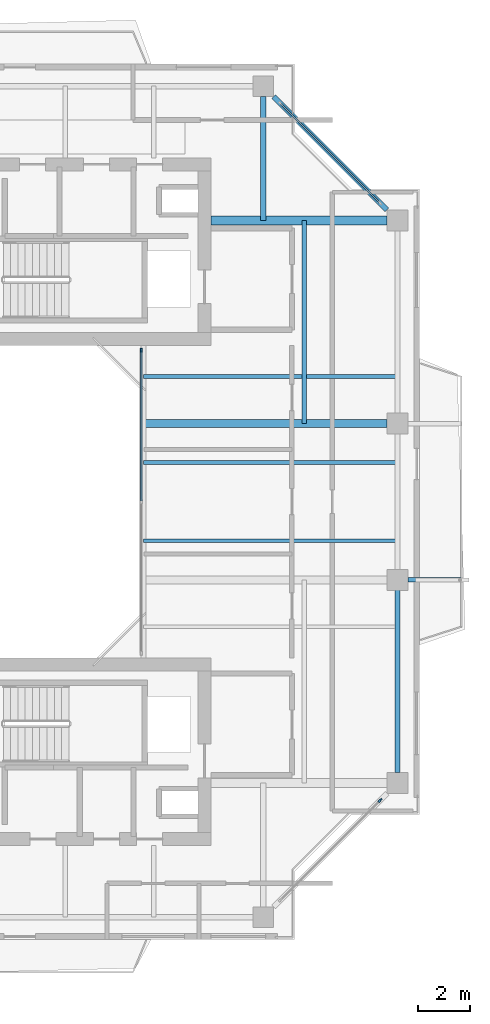
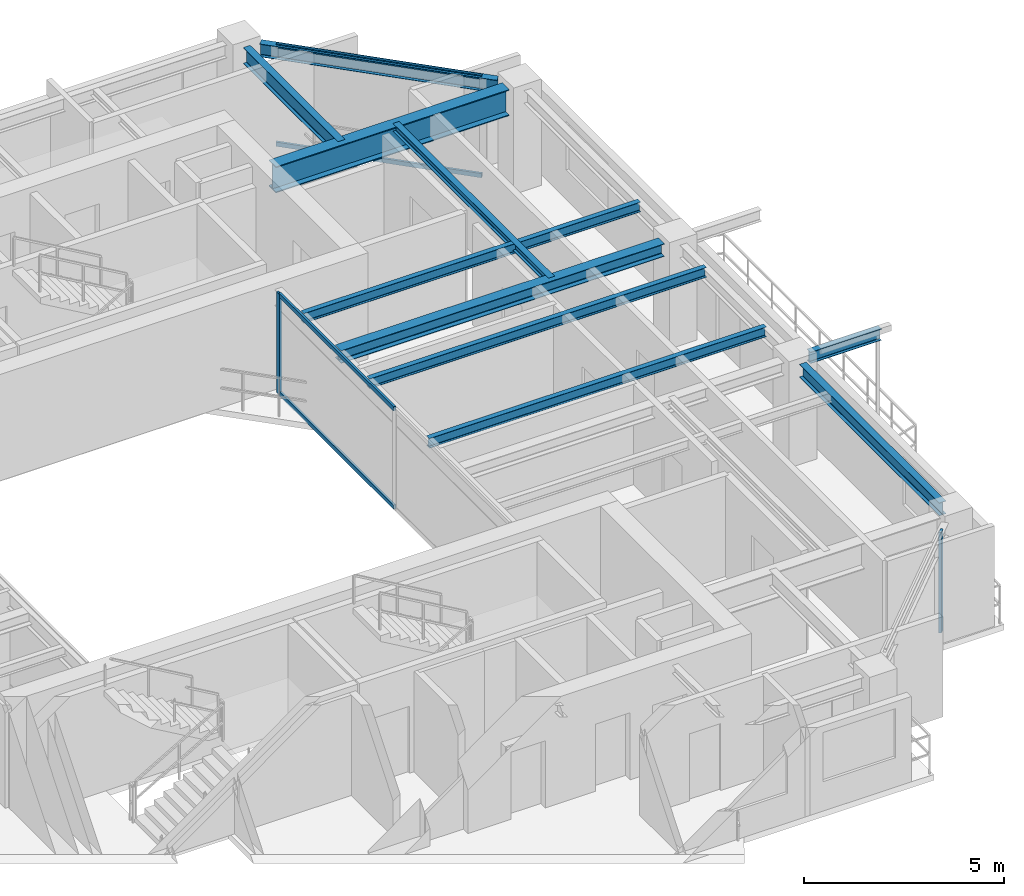
# One storey, part 6 of 15: 10 beams, 6 members, 3 elements without a shape of their own.
"""IFC4 building model written with IfcOpenShell, lengths in metres."""

from ifc_helpers import new_model, si_unit, direction, frame, origin, origin_2d, place, context, subcontext, project, spatial, rectangle, i_section, extrude, source, transform, mapped, material, layer, layer_set, material_profile, profile_set, type_object, element, aggregate, save


model = new_model("IFC4")

# Units and contexts
model_context = context("Model", 3, precision=1e-05, world=origin(), true_north=direction((0.0, 1.0)))
body_context = subcontext(model_context, "Body", "Model", "MODEL_VIEW")
ifc_project = project(units=[si_unit("LENGTHUNIT", "METRE"), si_unit("AREAUNIT", "SQUARE_METRE"), si_unit("VOLUMEUNIT", "CUBIC_METRE"), si_unit("PLANEANGLEUNIT", "RADIAN"), si_unit("MASSUNIT", "GRAM", prefix="KILO"), si_unit("THERMODYNAMICTEMPERATUREUNIT", "KELVIN"), si_unit("POWERUNIT", "WATT")], contexts=[model_context])

# Site, building, storey
site_placement = place(None, origin())
site = spatial("IfcSite", under=ifc_project, at=site_placement, CompositionType="ELEMENT")
building_placement = place(site_placement, origin())
building = spatial("IfcBuilding", under=site, at=building_placement, Name="Qiaomeng Ring Towers", CompositionType="ELEMENT")
storey_placement = place(building_placement, frame((0.0, 0.0, 219.75)))
storey = spatial("IfcBuildingStorey", under=building, at=storey_placement, Name="L64", CompositionType="ELEMENT", Elevation=219.75)

# Beams
ifc_material_1 = material(Name="Steel Q355B", Category="steel")
ifc_material_profile_1 = material_profile(ifc_material_1, i_section(OverallWidth=0.198974609375, OverallDepth=0.39599609375, WebThickness=0.007080078125, FlangeThickness=0.010986328125, FilletRadius=0.01611328125, at=origin_2d()), Name="HN 396x199x7x11")
ifc_profile_set_1 = profile_set([ifc_material_profile_1], Name="Steel Q355B")
beam_type_1 = type_object("IfcBeamType", Name="STR-BM-HN396", PredefinedType="SPANDREL", material=ifc_profile_set_1)
shared_shape_1 = source(origin(), body_context, "Body", "SweptSolid", [
    extrude(i_section(OverallWidth=0.198974609375, OverallDepth=0.39599609375, WebThickness=0.007080078125, FlangeThickness=0.010986328125, FilletRadius=0.01611328125, at=origin_2d()), origin(), (0.0, 0.0, 1.0), 6.154052734375),
])
beam_1_placement = place(storey_placement, frame((34.55078125, 34.19921875, 2.8720703125), z_axis=(-0.707106781187, 0.707106781187, 0.0), x_axis=(-0.707106781187, -0.707106781187, 0.0)))
element("IfcBeam", 1, at=beam_1_placement, inside=storey, type_object=beam_type_1, Name="L64 beam STR-SP-L64-T1-E4-N2", PredefinedType="SPANDREL", context=body_context, shape_type="MappedRepresentation", body=[
    mapped(shared_shape_1, transform((0.0, 0.0, 0.0), x_axis=(1.0, 0.0, 0.0), y_axis=(0.0, 1.0, 0.0), z_axis=(0.0, 0.0, 1.0), scale=1.0)),
])
shared_shape_2 = source(origin(), body_context, "Body", "SweptSolid", [
    extrude(i_section(OverallWidth=0.198974609375, OverallDepth=0.39599609375, WebThickness=0.007080078125, FlangeThickness=0.010986328125, FilletRadius=0.01611328125, at=origin_2d()), origin(), (0.0, 0.0, 1.0), 7.001953125),
])
beam_2_placement = place(storey_placement, frame((34.949951171875, 12.59912109375, 2.8720703125), z_axis=(0.0, 1.0, 0.0), x_axis=(-1.0, 0.0, 0.0)))
element("IfcBeam", 2, at=beam_2_placement, inside=storey, type_object=beam_type_1, Name="L64 beam STR-SP-L64-T1-E1-E2", PredefinedType="SPANDREL", context=body_context, shape_type="MappedRepresentation", body=[
    mapped(shared_shape_2, transform((0.0, 0.0, 0.0), x_axis=(1.0, 0.0, 0.0), y_axis=(0.0, 1.0, 0.0), z_axis=(0.0, 0.0, 1.0), scale=1.0)),
])
ifc_material_2 = material(Name="Steel Q390GJC", Category="steel")
ifc_material_profile_2 = material_profile(ifc_material_2, i_section(OverallWidth=0.35009765625, OverallDepth=0.800048828125, WebThickness=0.01611328125, FlangeThickness=0.028076171875, at=origin_2d()), Name="WH 800x350x16x28")
ifc_profile_set_2 = profile_set([ifc_material_profile_2], Name="Steel Q390GJC")
beam_type_2 = type_object("IfcBeamType", Name="STR-BM-WH800", PredefinedType="BEAM", material=ifc_profile_set_2)
shared_shape_3 = source(origin(), body_context, "Body", "SweptSolid", [
    extrude(i_section(OverallWidth=0.35009765625, OverallDepth=0.800048828125, WebThickness=0.01611328125, FlangeThickness=0.028076171875, at=origin_2d()), origin(), (0.0, 0.0, 1.0), 6.7509765625),
])
beam_3_placement = place(storey_placement, frame((27.800048828125, 33.800048828125, 2.669921875), z_axis=(1.0, 0.0, 0.0), x_axis=(0.0, 1.0, 0.0)))
element("IfcBeam", 3, at=beam_3_placement, inside=storey, type_object=beam_type_2, Name="L64 beam STR-BM-L64-T1-RAD-E4", PredefinedType="BEAM", context=body_context, shape_type="MappedRepresentation", body=[
    mapped(shared_shape_3, transform((0.0, 0.0, 0.0), x_axis=(1.0, 0.0, 0.0), y_axis=(0.0, 1.0, 0.0), z_axis=(0.0, 0.0, 1.0), scale=1.0)),
])
ifc_material_profile_3 = material_profile(ifc_material_1, i_section(OverallWidth=0.300048828125, OverallDepth=0.389892578125, WebThickness=0.010009765625, FlangeThickness=0.01611328125, FilletRadius=0.02197265625, at=origin_2d()), Name="HM 390x300x10x16")
ifc_profile_set_3 = profile_set([ifc_material_profile_3], Name="Steel Q355B")
beam_type_3 = type_object("IfcBeamType", Name="STR-BM-HM390", PredefinedType="BEAM", material=ifc_profile_set_3)
shared_shape_4 = source(origin(), body_context, "Body", "SweptSolid", [
    extrude(i_section(OverallWidth=0.300048828125, OverallDepth=0.389892578125, WebThickness=0.010009765625, FlangeThickness=0.01611328125, FilletRadius=0.02197265625, at=origin_2d()), origin(), (0.0, 0.0, 1.0), 9.35107421875),
])
beam_4_placement = place(storey_placement, frame((25.199951171875, 26.0, 2.875), z_axis=(1.0, 0.0, 0.0), x_axis=(0.0, 1.0, 0.0)))
element("IfcBeam", 4, at=beam_4_placement, inside=storey, type_object=beam_type_3, Name="L64 beam STR-BM-L64-T1-RAD-E3", PredefinedType="BEAM", context=body_context, shape_type="MappedRepresentation", body=[
    mapped(shared_shape_4, transform((0.0, 0.0, 0.0), x_axis=(1.0, 0.0, 0.0), y_axis=(0.0, 1.0, 0.0), z_axis=(0.0, 0.0, 1.0), scale=1.0)),
])
ifc_material_profile_4 = material_profile(ifc_material_1, i_section(OverallWidth=0.175048828125, OverallDepth=0.35009765625, WebThickness=0.007080078125, FlangeThickness=0.010986328125, FilletRadius=0.013916015625, at=origin_2d()), Name="HN 350x175x7x11")
ifc_profile_set_4 = profile_set([ifc_material_profile_4], Name="Steel Q355B")
beam_type_4 = type_object("IfcBeamType", Name="STR-BM-HN350", PredefinedType="JOIST", material=ifc_profile_set_4)
shared_shape_5 = source(origin(), body_context, "Body", "SweptSolid", [
    extrude(i_section(OverallWidth=0.175048828125, OverallDepth=0.35009765625, WebThickness=0.007080078125, FlangeThickness=0.010986328125, FilletRadius=0.013916015625, at=origin_2d()), origin(), (0.0, 0.0, 1.0), 2.05078125),
])
beam_5_placement = place(storey_placement, frame((35.34912109375, 20.0, 2.89501953125), z_axis=(1.0, 0.0, 0.0), x_axis=(0.0, 1.0, 0.0)))
element("IfcBeam", 5, at=beam_5_placement, inside=storey, type_object=beam_type_4, Name="L64 beam STR-BALBM-L64-E2", PredefinedType="JOIST", context=body_context, shape_type="MappedRepresentation", body=[
    mapped(shared_shape_5, transform((0.0, 0.0, 0.0), x_axis=(1.0, 0.0, 0.0), y_axis=(0.0, 1.0, 0.0), z_axis=(0.0, 0.0, 1.0), scale=1.0)),
])
ifc_material_profile_5 = material_profile(ifc_material_1, i_section(OverallWidth=0.14990234375, OverallDepth=0.300048828125, WebThickness=0.006591796875, FlangeThickness=0.009033203125, FilletRadius=0.012939453125, at=origin_2d()), Name="HN 300x150x6.5x9")
ifc_profile_set_5 = profile_set([ifc_material_profile_5], Name="Steel Q355B")
beam_type_5 = type_object("IfcBeamType", Name="STR-BM-HN300", PredefinedType="JOIST", material=ifc_profile_set_5)
shared_shape_6 = source(origin(), body_context, "Body", "SweptSolid", [
    extrude(i_section(OverallWidth=0.14990234375, OverallDepth=0.300048828125, WebThickness=0.006591796875, FlangeThickness=0.009033203125, FilletRadius=0.012939453125, at=origin_2d()), origin(), (0.0, 0.0, 1.0), 9.75),
])
for number, where, z_axis, x_axis, name in (
    (6, (25.199951171875, 21.5, 2.919921875), (1.0, 0.0, 0.0), (0.0, 1.0, 0.0), "L64 beam STR-JST-L64-T1E-2"),
    (7, (25.199951171875, 24.5, 2.919921875), (1.0, 0.0, 0.0), (0.0, 1.0, 0.0), "L64 beam STR-JST-L64-T1E-3"),
    (8, (25.199951171875, 27.800048828125, 2.919921875), (1.0, 0.0, 0.0), (0.0, 1.0, 0.0), "L64 beam STR-JST-L64-T1E-4"),
):
    element("IfcBeam", number, at=place(storey_placement, frame(where, z_axis=z_axis, x_axis=x_axis)), inside=storey, type_object=beam_type_5, Name=name, PredefinedType="JOIST", context=body_context, shape_type="MappedRepresentation", body=[
        mapped(shared_shape_6, transform((0.0, 0.0, 0.0), x_axis=(1.0, 0.0, 0.0), y_axis=(0.0, 1.0, 0.0), z_axis=(0.0, 0.0, 1.0), scale=1.0)),
    ])
ifc_material_profile_6 = material_profile(ifc_material_1, i_section(OverallWidth=0.175048828125, OverallDepth=0.243896484375, WebThickness=0.007080078125, FlangeThickness=0.010986328125, FilletRadius=0.01611328125, at=origin_2d()), Name="HM 244x175x7x11")
ifc_profile_set_6 = profile_set([ifc_material_profile_6], Name="Steel Q355B")
beam_type_6 = type_object("IfcBeamType", Name="STR-BM-HM244", PredefinedType="JOIST", material=ifc_profile_set_6)
shared_shape_7 = source(origin(), body_context, "Body", "SweptSolid", [
    extrude(i_section(OverallWidth=0.175048828125, OverallDepth=0.243896484375, WebThickness=0.007080078125, FlangeThickness=0.010986328125, FilletRadius=0.01611328125, at=origin_2d()), origin(), (0.0, 0.0, 1.0), 7.800048828125),
])
beam_6_placement = place(storey_placement, frame((31.375, 26.0, 2.947998046875), z_axis=(0.0, 1.0, 0.0), x_axis=(-1.0, 0.0, 0.0)))
element("IfcBeam", 9, at=beam_6_placement, inside=storey, type_object=beam_type_6, Name="L64 beam STR-JST-L64-T1C-EN", PredefinedType="JOIST", context=body_context, shape_type="MappedRepresentation", body=[
    mapped(shared_shape_7, transform((0.0, 0.0, 0.0), x_axis=(1.0, 0.0, 0.0), y_axis=(0.0, 1.0, 0.0), z_axis=(0.0, 0.0, 1.0), scale=1.0)),
])
ifc_material_profile_7 = material_profile(ifc_material_1, i_section(OverallWidth=0.198974609375, OverallDepth=0.49609375, WebThickness=0.009033203125, FlangeThickness=0.013916015625, FilletRadius=0.01806640625, at=origin_2d()), Name="HN 496x199x9x14")
ifc_profile_set_7 = profile_set([ifc_material_profile_7], Name="Steel Q355B")
beam_type_7 = type_object("IfcBeamType", Name="STR-BM-HN496", PredefinedType="BEAM", material=ifc_profile_set_7)
shared_shape_8 = source(origin(), body_context, "Body", "SweptSolid", [
    extrude(i_section(OverallWidth=0.198974609375, OverallDepth=0.49609375, WebThickness=0.009033203125, FlangeThickness=0.013916015625, FilletRadius=0.01806640625, at=origin_2d()), origin(), (0.0, 0.0, 1.0), 4.7509765625),
])
beam_7_placement = place(storey_placement, frame((29.800048828125, 38.551025390625, 2.822021484375), z_axis=(0.0, -1.0, 0.0), x_axis=(1.0, 0.0, 0.0)))
element("IfcBeam", 10, at=beam_7_placement, inside=storey, type_object=beam_type_7, Name="L64 beam STR-BM-L64-T1-RAD-N2", PredefinedType="BEAM", context=body_context, shape_type="MappedRepresentation", body=[
    mapped(shared_shape_8, transform((0.0, 0.0, 0.0), x_axis=(1.0, 0.0, 0.0), y_axis=(0.0, 1.0, 0.0), z_axis=(0.0, 0.0, 1.0), scale=1.0)),
])

# Curtain wall, members
ifc_material_3 = material(Name="Fluorocarbon dark-grey aluminium", Category="aluminium")
ifc_layer_1 = layer(ifc_material_3, 0.139892578125, Name="Fluorocarbon dark-grey aluminium")
ifc_layer_set_1 = layer_set([ifc_layer_1], Name="Fluorocarbon dark-grey aluminium")
curtain_wall_type_1 = type_object("IfcCurtainWallType", Name="ARC-CW-4", PredefinedType="NOTDEFINED", material=ifc_layer_set_1)
curtain_wall_1_placement = place(storey_placement, origin())
curtain_wall_1 = element("IfcCurtainWall", 11, at=curtain_wall_1_placement, inside=storey, type_object=curtain_wall_type_1, Name="L64 Curtain Wall CW4", PredefinedType="NOTDEFINED")
ifc_material_profile_8 = material_profile(ifc_material_3, rectangle(XDim=0.06494140625, YDim=0.159912109375, at=origin_2d()), Name="ALU MULL 65x160")
ifc_profile_set_8 = profile_set([ifc_material_profile_8], Name="Fluorocarbon dark-grey aluminium")
member_type_1 = type_object("IfcMemberType", Name="ARC-CWM-140", PredefinedType="MULLION", material=ifc_profile_set_8)
shared_shape_9 = source(origin(), body_context, "Body", "SweptSolid", [
    extrude(rectangle(XDim=0.06494140625, YDim=0.159912109375, at=origin_2d()), origin(), (0.0, 0.0, 1.0), 3.070068359375),
])
member_1_placement = place(storey_placement, frame((25.1201171875, 28.8173828125, 0.0), z_axis=(0.0, 0.0, 1.0), x_axis=(-1.0, 0.0, 0.0)))
member_1 = element("IfcMember", 12, at=member_1_placement, type_object=member_type_1, Name="CW4 mullion 3", PredefinedType="MULLION", context=body_context, shape_type="MappedRepresentation", body=[
    mapped(shared_shape_9, transform((0.0, 0.0, 0.0), x_axis=(1.0, 0.0, 0.0), y_axis=(0.0, 1.0, 0.0), z_axis=(0.0, 0.0, 1.0), scale=1.0)),
])
ifc_material_profile_9 = material_profile(ifc_material_3, rectangle(XDim=0.06494140625, YDim=0.1298828125, at=origin_2d()), Name="ALU TRAN 65x130")
ifc_profile_set_9 = profile_set([ifc_material_profile_9], Name="Fluorocarbon dark-grey aluminium")
member_type_2 = type_object("IfcMemberType", Name="ARC-CWT-120", PredefinedType="USERDEFINED", material=ifc_profile_set_9)
shared_shape_10 = source(origin(), body_context, "Body", "SweptSolid", [
    extrude(rectangle(XDim=0.06494140625, YDim=0.1298828125, at=origin_2d()), origin(), (0.0, 0.0, 1.0), 5.75244140625),
])
member_2_placement = place(storey_placement, frame((25.1201171875, 23.032470703125, 0.032470703125), z_axis=(0.0, 1.0, 0.0), x_axis=(-1.0, 0.0, 0.0)))
member_2 = element("IfcMember", 13, at=member_2_placement, type_object=member_type_2, Name="CW4 transom 2.1", ObjectType="TRANSOM", PredefinedType="USERDEFINED", context=body_context, shape_type="MappedRepresentation", body=[
    mapped(shared_shape_10, transform((0.0, 0.0, 0.0), x_axis=(1.0, 0.0, 0.0), y_axis=(0.0, 1.0, 0.0), z_axis=(0.0, 0.0, 1.0), scale=1.0)),
])
member_3_placement = place(storey_placement, frame((25.1201171875, 23.032470703125, 3.03759765625), z_axis=(0.0, 1.0, 0.0), x_axis=(-1.0, 0.0, 0.0)))
member_3 = element("IfcMember", 14, at=member_3_placement, type_object=member_type_2, Name="CW4 transom 2.2", ObjectType="TRANSOM", PredefinedType="USERDEFINED", context=body_context, shape_type="MappedRepresentation", body=[
    mapped(shared_shape_10, transform((0.0, 0.0, 0.0), x_axis=(1.0, 0.0, 0.0), y_axis=(0.0, 1.0, 0.0), z_axis=(0.0, 0.0, 1.0), scale=1.0)),
])
aggregate(curtain_wall_1, [member_1, member_2, member_3])

# Curtain wall, member
ifc_layer_2 = layer(ifc_material_3, 0.14990234375, Name="Fluorocarbon dark-grey aluminium")
ifc_layer_set_2 = layer_set([ifc_layer_2], Name="Fluorocarbon dark-grey aluminium")
curtain_wall_type_2 = type_object("IfcCurtainWallType", Name="ARC-CW-3", PredefinedType="NOTDEFINED", material=ifc_layer_set_2)
curtain_wall_2_placement = place(storey_placement, origin())
curtain_wall_2 = element("IfcCurtainWall", 15, at=curtain_wall_2_placement, inside=storey, type_object=curtain_wall_type_2, Name="L64 Curtain Wall CW3", PredefinedType="NOTDEFINED")
ifc_material_profile_10 = material_profile(ifc_material_3, rectangle(XDim=0.070068359375, YDim=0.179931640625, at=origin_2d()), Name="ALU MULL 70x180")
ifc_profile_set_10 = profile_set([ifc_material_profile_10], Name="Fluorocarbon dark-grey aluminium")
member_type_3 = type_object("IfcMemberType", Name="ARC-CWM-160", PredefinedType="MULLION", material=ifc_profile_set_10)
shared_shape_11 = source(origin(), body_context, "Body", "SweptSolid", [
    extrude(rectangle(XDim=0.070068359375, YDim=0.179931640625, at=origin_2d()), origin(), (0.0, 0.0, 1.0), 3.070068359375),
])
member_4_placement = place(storey_placement, frame((34.28515625, 11.53515625, 0.0), z_axis=(0.0, 0.0, 1.0), x_axis=(-0.707106781187, 0.707106781187, 0.0)))
member_4 = element("IfcMember", 16, at=member_4_placement, type_object=member_type_3, Name="CW3 mullion 2", PredefinedType="MULLION", context=body_context, shape_type="MappedRepresentation", body=[
    mapped(shared_shape_11, transform((0.0, 0.0, 0.0), x_axis=(1.0, 0.0, 0.0), y_axis=(0.0, 1.0, 0.0), z_axis=(0.0, 0.0, 1.0), scale=1.0)),
])
aggregate(curtain_wall_2, [member_4])

# Curtain wall, members
curtain_wall_3_placement = place(storey_placement, origin())
curtain_wall_3 = element("IfcCurtainWall", 17, at=curtain_wall_3_placement, inside=storey, type_object=curtain_wall_type_2, Name="L64 Curtain Wall CW3", PredefinedType="NOTDEFINED")
shared_shape_12 = source(origin(), body_context, "Body", "SweptSolid", [
    extrude(rectangle(XDim=0.06494140625, YDim=0.1298828125, at=origin_2d()), origin(), (0.0, 0.0, 1.0), 5.3330078125),
])
member_5_placement = place(storey_placement, frame((34.260498046875, 34.489501953125, 0.032470703125), z_axis=(-0.707106781187, 0.707106781187, 0.0), x_axis=(-0.707106781187, -0.707106781187, 0.0)))
member_5 = element("IfcMember", 18, at=member_5_placement, type_object=member_type_2, Name="CW3 transom 1.1", ObjectType="TRANSOM", PredefinedType="USERDEFINED", context=body_context, shape_type="MappedRepresentation", body=[
    mapped(shared_shape_12, transform((0.0, 0.0, 0.0), x_axis=(1.0, 0.0, 0.0), y_axis=(0.0, 1.0, 0.0), z_axis=(0.0, 0.0, 1.0), scale=1.0)),
])
member_6_placement = place(storey_placement, frame((34.260498046875, 34.489501953125, 3.03759765625), z_axis=(-0.707106781187, 0.707106781187, 0.0), x_axis=(-0.707106781187, -0.707106781187, 0.0)))
member_6 = element("IfcMember", 19, at=member_6_placement, type_object=member_type_2, Name="CW3 transom 1.2", ObjectType="TRANSOM", PredefinedType="USERDEFINED", context=body_context, shape_type="MappedRepresentation", body=[
    mapped(shared_shape_12, transform((0.0, 0.0, 0.0), x_axis=(1.0, 0.0, 0.0), y_axis=(0.0, 1.0, 0.0), z_axis=(0.0, 0.0, 1.0), scale=1.0)),
])
aggregate(curtain_wall_3, [member_5, member_6])

save(model, "model.ifc")
